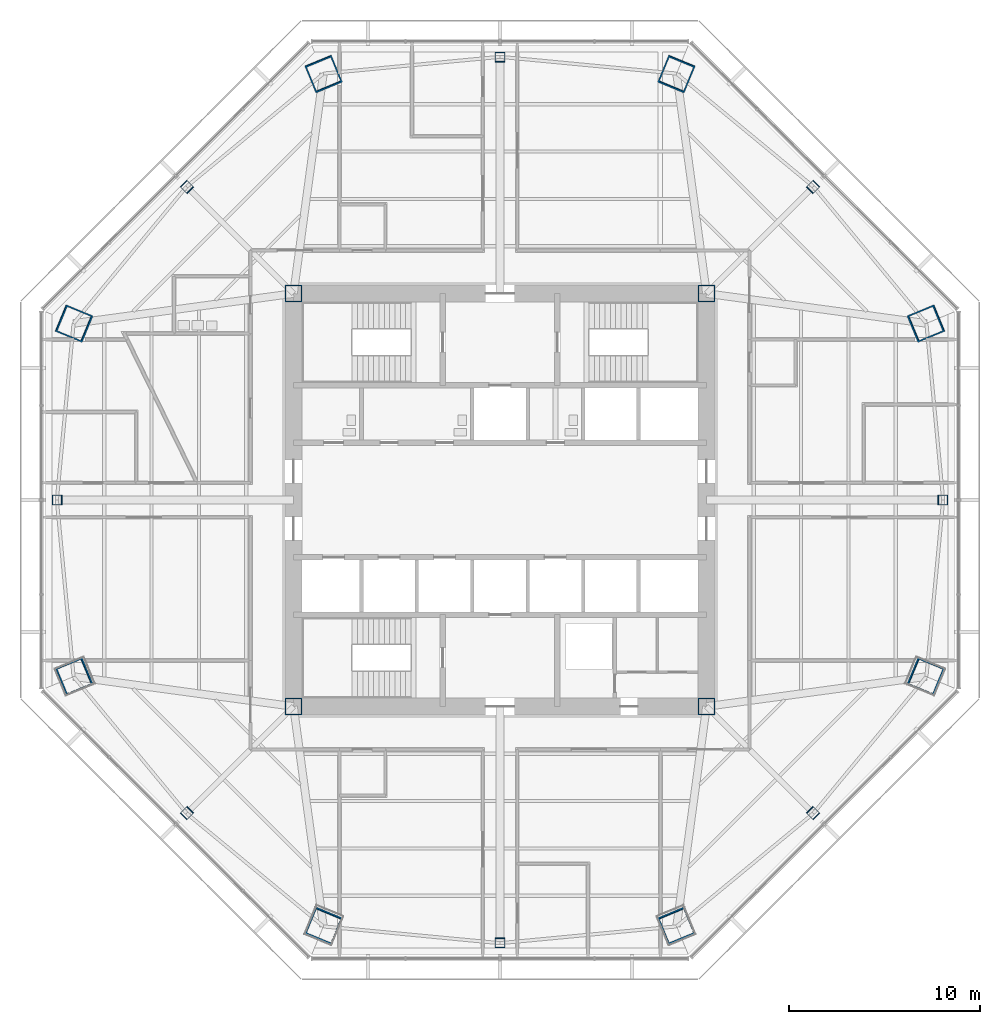
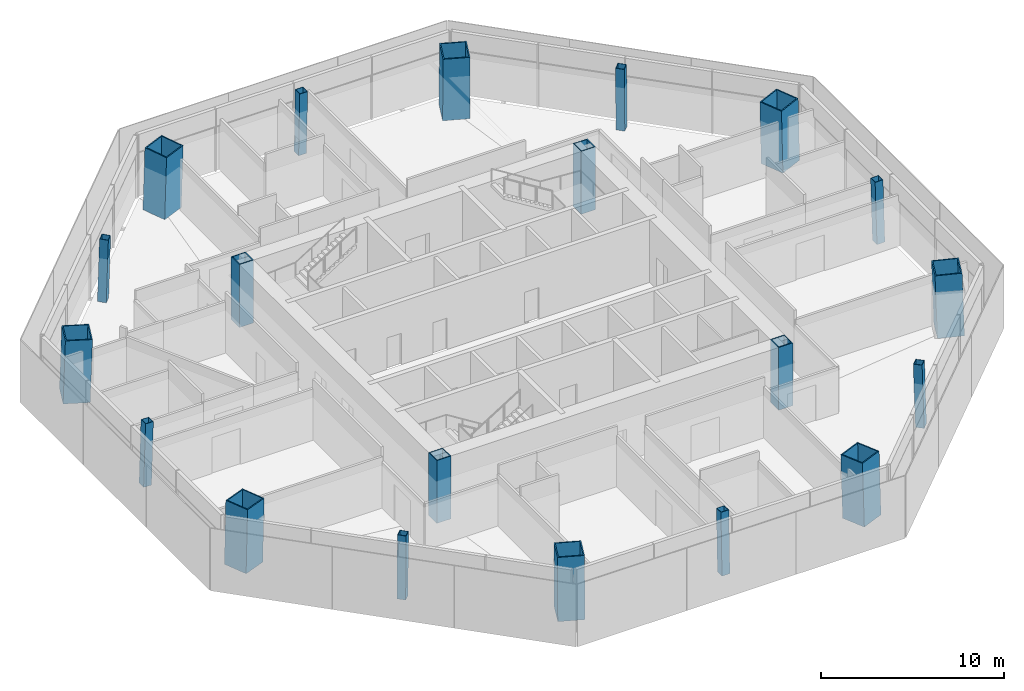
# One storey, part 1 of 14: 20 columns.
"""IFC4 building model written with IfcOpenShell, lengths in metres."""

from ifc_helpers import new_model, si_unit, direction, frame, origin, origin_2d, place, context, subcontext, project, spatial, hollow_rectangle, extrude, material, material_profile, profile_set, type_object, element, save


model = new_model("IFC4")

# Units and contexts
model_context = context("Model", 3, precision=1e-05, world=origin(), true_north=direction((0.0, 1.0)))
body_context = subcontext(model_context, "Body", "Model", "MODEL_VIEW")
ifc_project = project(units=[si_unit("LENGTHUNIT", "METRE"), si_unit("AREAUNIT", "SQUARE_METRE"), si_unit("VOLUMEUNIT", "CUBIC_METRE"), si_unit("PLANEANGLEUNIT", "RADIAN"), si_unit("MASSUNIT", "GRAM", prefix="KILO")], contexts=[model_context])

# Site, building, storey
site_placement = place(None, origin())
site = spatial("IfcSite", under=ifc_project, at=site_placement, CompositionType="ELEMENT")
building_placement = place(site_placement, origin())
building = spatial("IfcBuilding", under=site, at=building_placement, Name="Mashrafa Tower", CompositionType="ELEMENT")
storey_placement = place(building_placement, frame((0.0, 0.0, 142.800048828125)))
storey = spatial("IfcBuildingStorey", under=building, at=storey_placement, Name="L32", CompositionType="ELEMENT", Elevation=142.800048828125)

# Columns
ifc_material_1 = material(Name="Steel ASTM A572 Gr 50", Category="steel")
ifc_material_profile_1 = material_profile(ifc_material_1, hollow_rectangle(XDim=0.89990234375, YDim=0.89990234375, WallThickness=0.06005859375, at=origin_2d()), Name="BOX900X900X60")
ifc_profile_set_1 = profile_set([ifc_material_profile_1], Name="Steel ASTM A572 Gr 50")
column_type_1 = type_object("IfcColumnType", Name="Core corner column BOX900X900X60", PredefinedType="COLUMN", material=ifc_profile_set_1)
for number, where, z_axis, x_axis, name in (
    (1, (10.800048828125, 10.800048828125, 0.0), (0.0, 0.0, 1.0), (1.0, 0.0, 0.0), "Core corner column CC-NE L32"),
    (2, (-10.800048828125, 10.800048828125, 0.0), (0.0, 0.0, 1.0), (1.0, 0.0, 0.0), "Core corner column CC-NW L32"),
    (3, (-10.800048828125, -10.800048828125, 0.0), (0.0, 0.0, 1.0), (1.0, 0.0, 0.0), "Core corner column CC-SW L32"),
    (4, (10.800048828125, -10.800048828125, 0.0), (0.0, 0.0, 1.0), (1.0, 0.0, 0.0), "Core corner column CC-SE L32"),
):
    element("IfcColumn", number, at=place(storey_placement, frame(where, z_axis=z_axis, x_axis=x_axis)), inside=storey, type_object=column_type_1, Name=name, PredefinedType="COLUMN", context=body_context, shape_type="SweptSolid", body=[
        extrude(hollow_rectangle(XDim=0.89990234375, YDim=0.89990234375, WallThickness=0.06005859375, at=origin_2d()), origin(), (0.0, 0.0, 1.0), 4.199951171875),
    ])
ifc_material_2 = material(Name="Steel ASTM A572 Gr 50", Category="steel")
ifc_material_profile_2 = material_profile(ifc_material_2, hollow_rectangle(XDim=1.5, YDim=1.5, WallThickness=0.070068359375, at=origin_2d()), Name="BOX1500X1500X70")
ifc_profile_set_2 = profile_set([ifc_material_profile_2], Name="Steel ASTM A572 Gr 50")
column_type_2 = type_object("IfcColumnType", Name="Mega column CFST BOX1500X1500X70", PredefinedType="COLUMN", material=ifc_profile_set_2)
for number, where, z_axis, x_axis, name in (
    (5, (22.296875, 9.235595703125, 0.0), (-0.028295749455, -0.011678533143, 0.999531371407), (0.38151339852, -0.924363308851, 0.0), "Mega column MC1 L32"),
    (6, (9.235595703125, 22.296875, 0.0), (-0.011678533143, -0.028295749455, 0.999531371407), (0.924363308851, -0.38151339852, 0.0), "Mega column MC2 L32"),
    (7, (-9.235595703125, 22.296875, 0.0), (0.011678533143, -0.028295749455, 0.999531371407), (0.924363308851, 0.38151339852, 0.0), "Mega column MC3 L32"),
    (8, (-22.296875, 9.235595703125, 0.0), (0.028295749455, -0.011678533143, 0.999531371407), (0.38151339852, 0.924363308851, 0.0), "Mega column MC4 L32"),
    (9, (-22.296875, -9.235595703125, 0.0), (0.028295749455, 0.011678533143, 0.999531371407), (-0.38151339852, 0.924363308851, 0.0), "Mega column MC5 L32"),
    (10, (-9.235595703125, -22.296875, 0.0), (0.011678533143, 0.028295749455, 0.999531371407), (-0.924363308851, 0.38151339852, 0.0), "Mega column MC6 L32"),
    (11, (9.235595703125, -22.296875, 0.0), (-0.011678533143, 0.028295749455, 0.999531371407), (-0.924363308851, -0.38151339852, 0.0), "Mega column MC7 L32"),
    (12, (22.296875, -9.235595703125, 0.0), (-0.028295749455, 0.011678533143, 0.999531371407), (-0.38151339852, -0.924363308851, 0.0), "Mega column MC8 L32"),
):
    element("IfcColumn", number, at=place(storey_placement, frame(where, z_axis=z_axis, x_axis=x_axis)), inside=storey, type_object=column_type_2, Name=name, PredefinedType="COLUMN", context=body_context, shape_type="SweptSolid", body=[
        extrude(hollow_rectangle(XDim=1.5, YDim=1.5, WallThickness=0.070068359375, at=origin_2d()), origin(), (0.0, 0.0, 1.0), 4.201904296875),
    ])
ifc_material_3 = material(Name="Steel ASTM A572 Gr 50", Category="steel")
ifc_material_profile_3 = material_profile(ifc_material_3, hollow_rectangle(XDim=0.5, YDim=0.5, WallThickness=0.02490234375, at=origin_2d()), Name="BOX500X500X25")
ifc_profile_set_3 = profile_set([ifc_material_profile_3], Name="Steel ASTM A572 Gr 50")
column_type_3 = type_object("IfcColumnType", Name="Secondary column BOX500X500X25", PredefinedType="COLUMN", material=ifc_profile_set_3)
for number, where, z_axis, x_axis, name in (
    (13, (23.175048828125, 0.0, 0.0), (-0.028239619523, 0.0, 0.999601182417), (0.0, -1.0, 0.0), "Secondary column SC1 L32"),
    (14, (16.38720703125, 16.38720703125, 0.0), (-0.019988521213, -0.019988521213, 0.999600379171), (0.707106781187, -0.707106781187, 0.0), "Secondary column SC2 L32"),
    (15, (0.0, 23.175048828125, 0.0), (0.0, -0.028239619523, 0.999601182417), (1.0, 0.0, 0.0), "Secondary column SC3 L32"),
    (16, (-16.38720703125, 16.38720703125, 0.0), (0.019988521213, -0.019988521213, 0.999600379171), (0.707106781187, 0.707106781187, 0.0), "Secondary column SC4 L32"),
    (17, (-23.175048828125, 0.0, 0.0), (0.028239619523, 0.0, 0.999601182417), (0.0, 1.0, 0.0), "Secondary column SC5 L32"),
    (18, (-16.38720703125, -16.38720703125, 0.0), (0.019988521213, 0.019988521213, 0.999600379171), (-0.707106781187, 0.707106781187, 0.0), "Secondary column SC6 L32"),
    (19, (0.0, -23.175048828125, 0.0), (0.0, 0.028239619523, 0.999601182417), (-1.0, 0.0, 0.0), "Secondary column SC7 L32"),
    (20, (16.38720703125, -16.38720703125, 0.0), (-0.019988521213, 0.019988521213, 0.999600379171), (-0.707106781187, -0.707106781187, 0.0), "Secondary column SC8 L32"),
):
    element("IfcColumn", number, at=place(storey_placement, frame(where, z_axis=z_axis, x_axis=x_axis)), inside=storey, type_object=column_type_3, Name=name, PredefinedType="COLUMN", context=body_context, shape_type="SweptSolid", body=[
        extrude(hollow_rectangle(XDim=0.5, YDim=0.5, WallThickness=0.02490234375, at=origin_2d()), origin(), (0.0, 0.0, 1.0), 4.20166015625),
    ])

save(model, "model.ifc")
